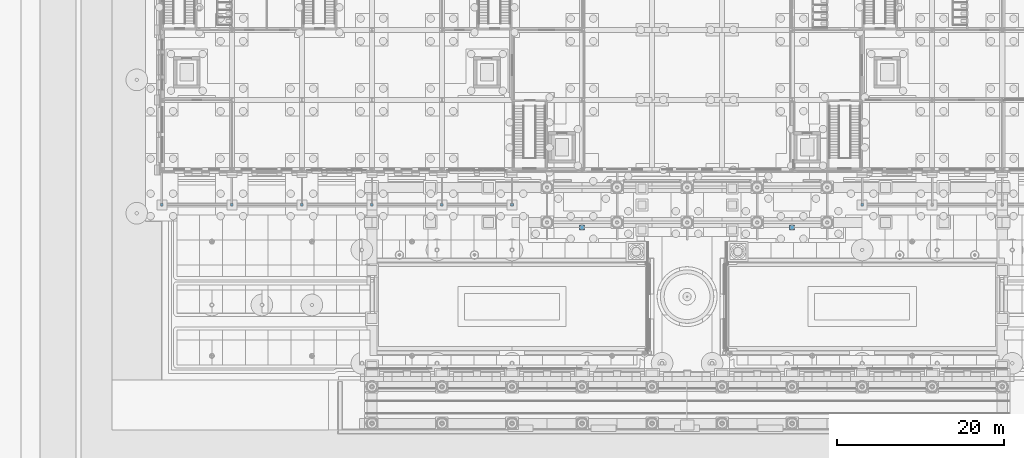
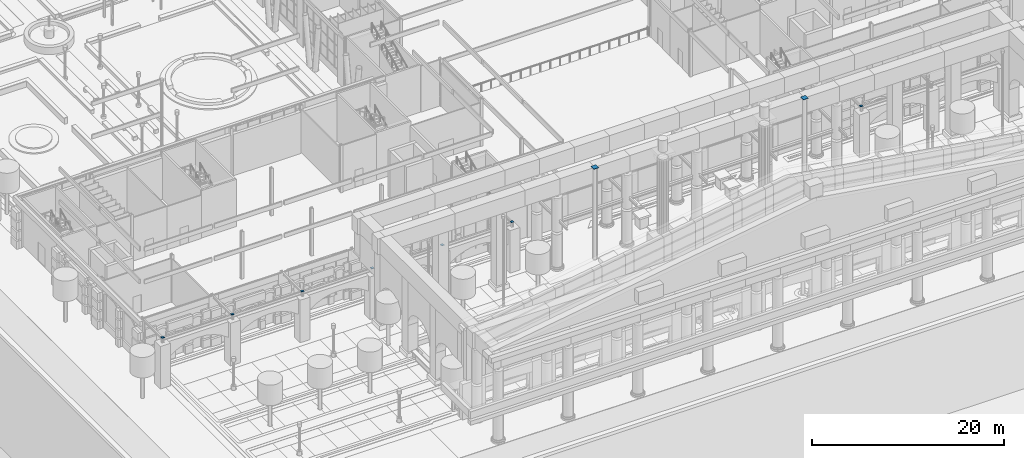
# One storey, part 106 of 222: 9 discrete accessories.
"""IFC4 building model written with IfcOpenShell, lengths in metres."""

import ifcopenshell
import ifcopenshell.guid

model = None  # the IFC model being written
_history = None  # IfcOwnerHistory: only IFC2X3 demands one
_inside = {}  # id of a spatial element -> (the spatial element, [elements in it])
_under = {}  # id of a project, library or spatial element -> (it, [spatial elements below it])
_declared = {}  # id of a project -> (the project, [libraries it declares])
_typed = {}  # id of a type object -> (the type object, [elements of that type])
_made_of = {}  # id of a material, layer set ... -> (it, [elements and type objects made of it])


def new_model(schema):
    """Start an empty IFC model of exactly this schema.

    Asked for "IFC4X3", IfcOpenShell would pick the latest addendum, in which some entities
    have other attributes; the version numbers below select the first issue.
    IFC2X3 requires an IfcOwnerHistory on every rooted entity: one is made here for all.
    """
    global model, _history
    if schema == "IFC4X3":
        model = ifcopenshell.file(schema_version=(4, 3, 0, 0))
    else:
        model = ifcopenshell.file(schema=schema)
    _inside.clear()
    _under.clear()
    _declared.clear()
    _typed.clear()
    _made_of.clear()
    _history = None
    if model.schema == "IFC2X3":
        org = make("IfcOrganization", Name="unknown")
        user = make(
            "IfcPersonAndOrganization",
            ThePerson=make("IfcPerson", FamilyName="unknown"),
            TheOrganization=org,
        )
        app = make(
            "IfcApplication",
            ApplicationDeveloper=org,
            Version="unknown",
            ApplicationFullName="unknown",
            ApplicationIdentifier="unknown",
        )
        _history = make(
            "IfcOwnerHistory",
            OwningUser=user,
            OwningApplication=app,
            ChangeAction="ADDED",
            CreationDate=0,
        )
    return model


def make(cls, **values):
    """One entity of the class cls with the attributes given. An attribute that is None is left unset."""
    return model.create_entity(
        cls, **{name: value for name, value in values.items() if value is not None}
    )


def rooted(cls, **values):
    """An entity with a GlobalId (a new one), such as an element, a storey or a relation."""
    return make(cls, GlobalId=ifcopenshell.guid.new(), OwnerHistory=_history, **values)


def si_unit(unit_type, name, prefix=None):
    """IfcSIUnit, for example si_unit("LENGTHUNIT", "METRE", prefix="MILLI")."""
    return make("IfcSIUnit", UnitType=unit_type, Prefix=prefix, Name=name)


def assignment(units):
    """IfcUnitAssignment: the units of a project."""
    return None if units is None else make("IfcUnitAssignment", Units=units)


def point(xyz):
    """IfcCartesianPoint."""
    return None if xyz is None else make("IfcCartesianPoint", Coordinates=xyz)


def direction(xyz):
    """IfcDirection."""
    return None if xyz is None else make("IfcDirection", DirectionRatios=xyz)


def frame(location, z_axis=None, x_axis=None):
    """IfcAxis2Placement3D, a coordinate frame: its origin and axes. An axis left out is left unset."""
    return make(
        "IfcAxis2Placement3D",
        Location=point(location),
        Axis=direction(z_axis),
        RefDirection=direction(x_axis),
    )


def frame_2d(location, x_axis=None):
    """IfcAxis2Placement2D, a coordinate frame in the plane: its origin and x axis."""
    return make(
        "IfcAxis2Placement2D", Location=point(location), RefDirection=direction(x_axis)
    )


def origin():
    """The frame at (0, 0, 0) with its axes left unset."""
    return frame((0.0, 0.0, 0.0))


def origin_2d():
    """The frame at (0, 0) in the plane with its x axis left unset."""
    return frame_2d((0.0, 0.0))


def place(relative_to, where):
    """IfcLocalPlacement: puts the frame where relative to a parent placement (None: the world)."""
    return make(
        "IfcLocalPlacement", PlacementRelTo=relative_to, RelativePlacement=where
    )


def context(
    kind, dimensions, precision=None, world=None, true_north=None, identifier=None
):
    """IfcGeometricRepresentationContext, for example the 3D "Model" context."""
    return make(
        "IfcGeometricRepresentationContext",
        ContextIdentifier=identifier,
        ContextType=kind,
        CoordinateSpaceDimension=dimensions,
        Precision=precision,
        WorldCoordinateSystem=world,
        TrueNorth=true_north,
    )


def subcontext(parent, identifier, kind, view, scale=None):
    """IfcGeometricRepresentationSubContext, for example "Body" below "Model"."""
    return make(
        "IfcGeometricRepresentationSubContext",
        ContextIdentifier=identifier,
        ContextType=kind,
        ParentContext=parent,
        TargetScale=scale,
        TargetView=view,
    )


def project(units=None, contexts=None):
    """IfcProject with its units and contexts."""
    return rooted(
        "IfcProject",
        Name="project",
        RepresentationContexts=contexts,
        UnitsInContext=assignment(units),
    )


def spatial(cls, under=None, at=None, **own):
    """A site, building, storey or space (cls), placed at a placement, below another one or the project."""
    s = rooted(cls, ObjectPlacement=at, **own)
    if under is not None:
        _under.setdefault(under.id(), (under, []))[1].append(s)
    return s


def profile(cls, at=None, kind="AREA", **sizes):
    """A parametric profile (cls). Its sizes go by their IFC names, for example OverallWidth=200.0."""
    return make(cls, ProfileType=kind, Position=at, **sizes)


def rectangle(**sizes):
    """IfcRectangleProfileDef."""
    return profile("IfcRectangleProfileDef", **sizes)


def extrude(swept, where, along, depth):
    """IfcExtrudedAreaSolid: the profile swept, set in the frame where, extruded along a direction by depth."""
    return make(
        "IfcExtrudedAreaSolid",
        SweptArea=swept,
        Position=where,
        ExtrudedDirection=direction(along),
        Depth=depth,
    )


def shape(context_of_items, identifier, shape_type, items):
    """IfcShapeRepresentation: the items that make up one representation, for example the "Body"."""
    return make(
        "IfcShapeRepresentation",
        ContextOfItems=context_of_items,
        RepresentationIdentifier=identifier,
        RepresentationType=shape_type,
        Items=items,
    )


def material(Name=None, Category=None):
    """IfcMaterial."""
    return make("IfcMaterial", Name=Name, Category=Category)


def layer(
    of_material, thickness, ventilated=None, Name=None, Category=None, Priority=None
):
    """IfcMaterialLayer: one layer of a wall or slab, of a material (None: an air gap)."""
    return make(
        "IfcMaterialLayer",
        Material=of_material,
        LayerThickness=thickness,
        IsVentilated=ventilated,
        Name=Name,
        Category=Category,
        Priority=Priority,
    )


def layer_set(layers, Name=None):
    """IfcMaterialLayerSet."""
    return make("IfcMaterialLayerSet", MaterialLayers=layers, LayerSetName=Name)


def made_of(thing, what):
    """Note that an element or type object is made of a material, layer set ...; save() writes the relation."""
    if what is not None:
        _made_of.setdefault(what.id(), (what, []))[1].append(thing)
    return thing


def type_object(cls, material=None, **own):
    """A type object (cls), such as IfcWallType, which elements share."""
    return made_of(rooted(cls, **own), material)


def element(
    cls,
    number,
    at=None,
    inside=None,
    cuts=None,
    type_object=None,
    material=None,
    context=None,
    identifier="Body",
    shape_type=None,
    held_by="IfcProductDefinitionShape",
    body=None,
    shapes=None,
    **own,
):
    """One element of the class cls, such as IfcWall. Its Tag is "e" and its number.

    at: its placement. inside: the storey or other place that contains it. cuts: it is an
    opening in that element (IfcRelVoidsElement). A single representation is given by context,
    identifier, shape_type and body (its items); several are given by shapes. held_by: the class
    of the entity that holds the representations. save() writes the other relations.
    """
    e = rooted(cls, Tag="e%d" % number, ObjectPlacement=at, **own)
    if body is not None:
        shapes = [shape(context, identifier, shape_type, body)]
    if shapes is not None:
        e.Representation = make(held_by, Representations=shapes)
    if inside is not None:
        _inside.setdefault(inside.id(), (inside, []))[1].append(e)
    if cuts is not None:
        rooted(
            "IfcRelVoidsElement", RelatingBuildingElement=cuts, RelatedOpeningElement=e
        )
    if type_object is not None:
        _typed.setdefault(type_object.id(), (type_object, []))[1].append(e)
    return made_of(e, material)


def aggregate(whole, parts):
    """IfcRelAggregates: a whole, such as a stair, and the parts it consists of."""
    return rooted("IfcRelAggregates", RelatingObject=whole, RelatedObjects=parts)


def save(model, path):
    """Write the relations noted so far, then the file.

    IfcRelAggregates (storeys below a building ...), IfcRelContainedInSpatialStructure (elements
    in a storey), IfcRelDefinesByType, IfcRelAssociatesMaterial and IfcRelDeclares: one each for
    every whole, place, type object, material and project.
    """
    for whole, parts in _under.values():
        aggregate(whole, parts)
    for where, things in _inside.values():
        rooted(
            "IfcRelContainedInSpatialStructure",
            RelatedElements=things,
            RelatingStructure=where,
        )
    for kind, things in _typed.values():
        rooted("IfcRelDefinesByType", RelatedObjects=things, RelatingType=kind)
    for what, things in _made_of.values():
        rooted("IfcRelAssociatesMaterial", RelatedObjects=things, RelatingMaterial=what)
    for by, libraries in _declared.values():
        rooted("IfcRelDeclares", RelatingContext=by, RelatedDefinitions=libraries)
    model.write(path)


model = new_model("IFC4")

# Units and contexts
model_context = context("Model", 3, precision=1e-05, world=origin(), true_north=direction((0.0, 1.0)))
body_context = subcontext(model_context, "Body", "Model", "MODEL_VIEW")
ifc_project = project(units=[si_unit("LENGTHUNIT", "METRE"), si_unit("AREAUNIT", "SQUARE_METRE"), si_unit("VOLUMEUNIT", "CUBIC_METRE"), si_unit("PLANEANGLEUNIT", "RADIAN"), si_unit("MASSUNIT", "GRAM", prefix="KILO")], contexts=[model_context])

# Site, building, storey
site_placement = place(None, origin())
site = spatial("IfcSite", under=ifc_project, at=site_placement, CompositionType="ELEMENT")
building_placement = place(site_placement, origin())
building = spatial("IfcBuilding", under=site, at=building_placement, Name="Sava Quay Ferry Terminal", CompositionType="ELEMENT")
storey_placement = place(building_placement, origin())
storey = spatial("IfcBuildingStorey", under=building, at=storey_placement, Name="L00", CompositionType="ELEMENT", Elevation=0.0)

# Discrete accessories
ifc_material_1 = material(Name="Steel S355", Category="steel")
ifc_layer_1 = layer(ifc_material_1, 0.02001953125)
ifc_layer_set_1 = layer_set([ifc_layer_1], Name="Steel S355")
discrete_accessory_type_1 = type_object("IfcDiscreteAccessoryType", Name="Column head plate 20", PredefinedType="ANCHORPLATE", material=ifc_layer_set_1)
for number, where, z_axis, x_axis, name in (
    (1, (0.0, 21.0, 6.0), (0.0, 0.0, 1.0), (1.0, 0.0, 0.0), "Arcade column head plate 0/21"),
    (2, (8.39990234375, 21.0, 6.0), (0.0, 0.0, 1.0), (1.0, 0.0, 0.0), "Arcade column head plate 8.4/21"),
    (3, (16.800048828125, 21.0, 6.0), (0.0, 0.0, 1.0), (1.0, 0.0, 0.0), "Arcade column head plate 16.8/21"),
    (4, (25.199951171875, 21.0, 6.0), (0.0, 0.0, 1.0), (1.0, 0.0, 0.0), "Arcade column head plate 25.2/21"),
    (5, (33.60009765625, 21.0, 6.0), (0.0, 0.0, 1.0), (1.0, 0.0, 0.0), "Arcade column head plate 33.6/21"),
    (6, (42.0, 21.0, 6.0), (0.0, 0.0, 1.0), (1.0, 0.0, 0.0), "Arcade column head plate 42/21"),
    (7, (84.0, 21.0, 6.0), (0.0, 0.0, 1.0), (1.0, 0.0, 0.0), "Arcade column head plate 84/21"),
):
    element("IfcDiscreteAccessory", number, at=place(storey_placement, frame(where, z_axis=z_axis, x_axis=x_axis)), inside=storey, type_object=discrete_accessory_type_1, Name=name, PredefinedType="ANCHORPLATE", context=body_context, shape_type="SweptSolid", body=[
        extrude(rectangle(XDim=0.300048828125, YDim=0.300048828125, at=origin_2d()), origin(), (0.0, 0.0, 1.0), 0.02001953125),
    ])
ifc_material_2 = material(Name="Steel S355", Category="steel")
ifc_layer_2 = layer(ifc_material_2, 0.06005859375)
ifc_layer_set_2 = layer_set([ifc_layer_2], Name="Steel S355")
discrete_accessory_type_2 = type_object("IfcDiscreteAccessoryType", Name="Post cap plate 60", PredefinedType="ANCHORPLATE", material=ifc_layer_set_2)
for number, where, z_axis, x_axis, name in (
    (8, (50.39990234375, 18.300048828125, 11.590087890625), (0.0, 0.0, 1.0), (1.0, 0.0, 0.0), "Arrivals hall stern post 1 cap plate"),
    (9, (75.60009765625, 18.300048828125, 11.590087890625), (0.0, 0.0, 1.0), (1.0, 0.0, 0.0), "Arrivals hall stern post 2 cap plate"),
):
    element("IfcDiscreteAccessory", number, at=place(storey_placement, frame(where, z_axis=z_axis, x_axis=x_axis)), inside=storey, type_object=discrete_accessory_type_2, Name=name, PredefinedType="ANCHORPLATE", context=body_context, shape_type="SweptSolid", body=[
        extrude(rectangle(XDim=0.60009765625, YDim=0.60009765625, at=origin_2d()), origin(), (0.0, 0.0, 1.0), 0.06005859375),
    ])

save(model, "model.ifc")
